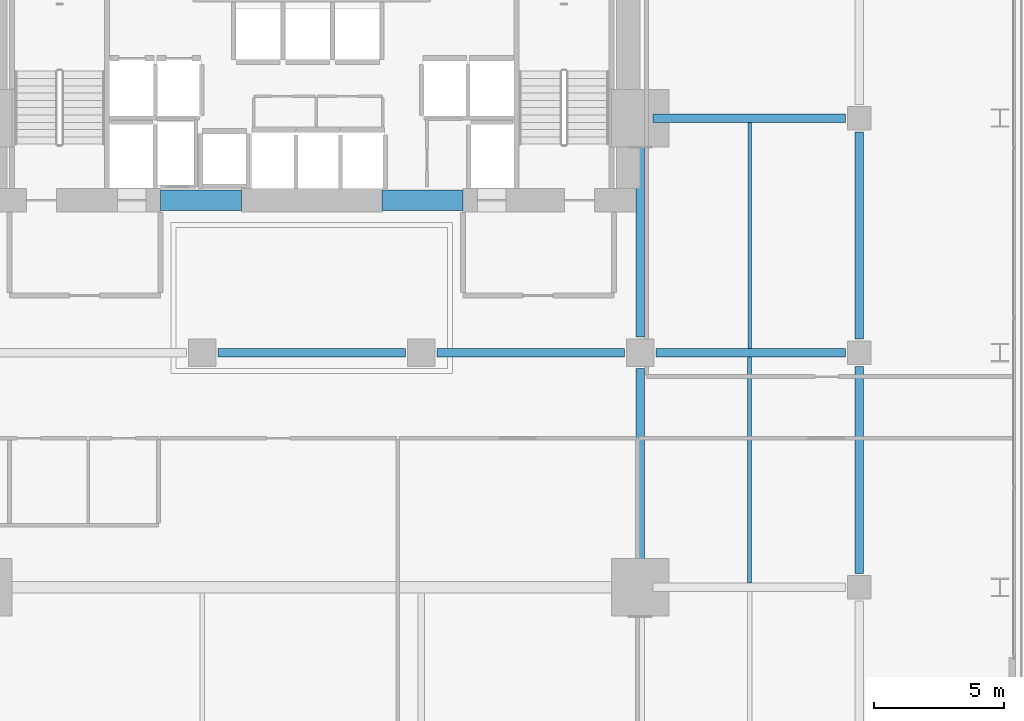
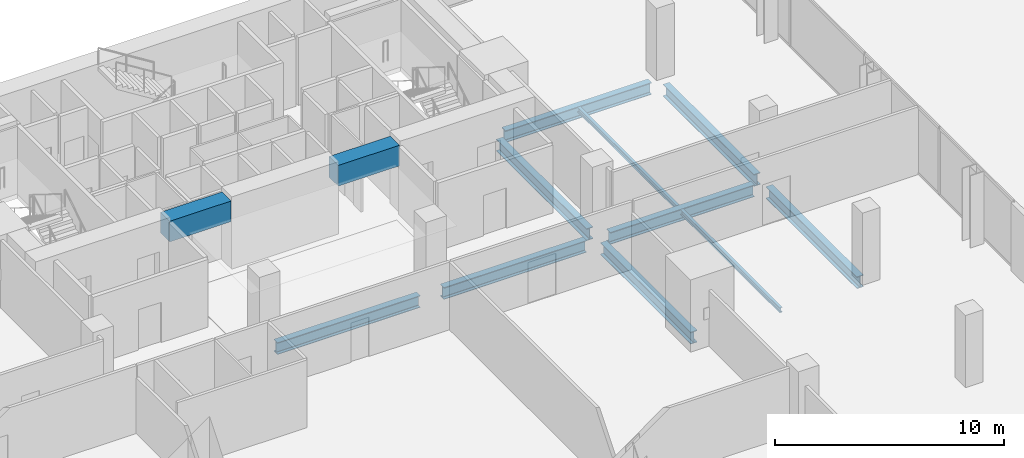
# One storey, part 16 of 31: 12 beams.
"""IFC4 building model written with IfcOpenShell, lengths in metres."""

from ifc_helpers import new_model, si_unit, direction, frame, origin, origin_2d, place, context, subcontext, project, spatial, rectangle, i_section, extrude, material, material_profile, profile_set, type_object, element, save


model = new_model("IFC4")

# Units and contexts
model_context = context("Model", 3, precision=1e-05, world=origin(), true_north=direction((0.0, 1.0)))
body_context = subcontext(model_context, "Body", "Model", "MODEL_VIEW")
ifc_project = project(units=[si_unit("LENGTHUNIT", "METRE"), si_unit("AREAUNIT", "SQUARE_METRE"), si_unit("VOLUMEUNIT", "CUBIC_METRE"), si_unit("PLANEANGLEUNIT", "RADIAN"), si_unit("MASSUNIT", "GRAM", prefix="KILO")], contexts=[model_context])

# Site, building, storey
site_placement = place(None, origin())
site = spatial("IfcSite", under=ifc_project, at=site_placement, CompositionType="ELEMENT")
building_placement = place(site_placement, origin())
building = spatial("IfcBuilding", under=site, at=building_placement, Name="Maruvema Waterfront Hotel and Observation Tower", CompositionType="ELEMENT")
storey_placement = place(building_placement, frame((0.0, 0.0, 26.949951171875)))
storey = spatial("IfcBuildingStorey", under=building, at=storey_placement, Name="L05", CompositionType="ELEMENT", Elevation=26.949951171875)

# Beams
ifc_material_1 = material(Name="Concrete C60/75", Category="concrete")
ifc_material_profile_1 = material_profile(ifc_material_1, rectangle(XDim=0.800048828125, YDim=1.10009765625, at=origin_2d()), Name="CB800x1100")
ifc_profile_set_1 = profile_set([ifc_material_profile_1], Name="Concrete C60/75")
beam_type_1 = type_object("IfcBeamType", Name="Core Coupling Lintel Beam CB800x1100", PredefinedType="LINTEL", material=ifc_profile_set_1)
for number, where, z_axis, x_axis, name in (
    (1, (32.0, 41.85009765625, 3.06005859375), (1.0, 0.0, 0.0), (0.0, 1.0, 0.0), "L05 Core Coupling Lintel Beam West"),
    (2, (40.5, 41.85009765625, 3.06005859375), (1.0, 0.0, 0.0), (0.0, 1.0, 0.0), "L05 Core Coupling Lintel Beam East"),
):
    element("IfcBeam", number, at=place(storey_placement, frame(where, z_axis=z_axis, x_axis=x_axis)), inside=storey, type_object=beam_type_1, Name=name, PredefinedType="LINTEL", context=body_context, shape_type="SweptSolid", body=[
        extrude(rectangle(XDim=0.800048828125, YDim=1.10009765625, at=origin_2d()), origin(), (0.0, 0.0, 1.0), 3.10009765625),
    ])
ifc_material_2 = material(Name="Steel ASTM A572 Grade 50", Category="steel")
ifc_material_profile_2 = material_profile(ifc_material_2, i_section(OverallWidth=0.3291015625, OverallDepth=0.635009765625, WebThickness=0.017822265625, FlangeThickness=0.031005859375, FilletRadius=0.01806640625, at=origin_2d()), Name="W610x241.0")
ifc_profile_set_2 = profile_set([ifc_material_profile_2], Name="Steel ASTM A572 Grade 50")
beam_type_2 = type_object("IfcBeamType", Name="Primary Floor Girder W610x241.0", PredefinedType="BEAM", material=ifc_profile_set_2)
for number, where, z_axis, x_axis, name in (
    (3, (34.199951171875, 36.0, -0.557373046875), (1.0, 0.0, 0.0), (0.0, 1.0, 0.0), "L05 Floor Girder EW-17"),
    (4, (42.60009765625, 36.0, -0.557373046875), (1.0, 0.0, 0.0), (0.0, 1.0, 0.0), "L05 Floor Girder EW-18"),
):
    element("IfcBeam", number, at=place(storey_placement, frame(where, z_axis=z_axis, x_axis=x_axis)), inside=storey, type_object=beam_type_2, Name=name, PredefinedType="BEAM", context=body_context, shape_type="SweptSolid", body=[
        extrude(i_section(OverallWidth=0.3291015625, OverallDepth=0.635009765625, WebThickness=0.017822265625, FlangeThickness=0.031005859375, FilletRadius=0.01806640625, at=origin_2d()), origin(), (0.0, 0.0, 1.0), 7.199951171875),
    ])
beam_1_placement = place(storey_placement, frame((51.0, 36.0, -0.557373046875), z_axis=(1.0, 0.0, 0.0), x_axis=(0.0, 1.0, 0.0)))
element("IfcBeam", 5, at=beam_1_placement, inside=storey, type_object=beam_type_2, Name="L05 Floor Girder EW-19", PredefinedType="BEAM", context=body_context, shape_type="SweptSolid", body=[
    extrude(i_section(OverallWidth=0.3291015625, OverallDepth=0.635009765625, WebThickness=0.017822265625, FlangeThickness=0.031005859375, FilletRadius=0.01806640625, at=origin_2d()), origin(), (0.0, 0.0, 1.0), 7.27490234375),
])
beam_2_placement = place(storey_placement, frame((50.89990234375, 45.0, -0.557373046875), z_axis=(1.0, 0.0, 0.0), x_axis=(0.0, 1.0, 0.0)))
element("IfcBeam", 6, at=beam_2_placement, inside=storey, type_object=beam_type_2, Name="L05 Floor Girder EW-21", PredefinedType="BEAM", context=body_context, shape_type="SweptSolid", body=[
    extrude(i_section(OverallWidth=0.3291015625, OverallDepth=0.635009765625, WebThickness=0.017822265625, FlangeThickness=0.031005859375, FilletRadius=0.01806640625, at=origin_2d()), origin(), (0.0, 0.0, 1.0), 7.375),
])
for number, where, z_axis, x_axis, name in (
    (7, (50.39990234375, 27.5, -0.557373046875), (0.0, 1.0, 0.0), (-1.0, 0.0, 0.0), "L05 Floor Girder NS-15"),
    (8, (50.39990234375, 36.60009765625, -0.557373046875), (0.0, 1.0, 0.0), (-1.0, 0.0, 0.0), "L05 Floor Girder NS-16"),
):
    element("IfcBeam", number, at=place(storey_placement, frame(where, z_axis=z_axis, x_axis=x_axis)), inside=storey, type_object=beam_type_2, Name=name, PredefinedType="BEAM", context=body_context, shape_type="SweptSolid", body=[
        extrude(i_section(OverallWidth=0.3291015625, OverallDepth=0.635009765625, WebThickness=0.017822265625, FlangeThickness=0.031005859375, FilletRadius=0.01806640625, at=origin_2d()), origin(), (0.0, 0.0, 1.0), 7.89990234375),
    ])
for number, where, z_axis, x_axis, name in (
    (9, (58.800048828125, 27.52490234375, -0.557373046875), (0.0, 1.0, 0.0), (-1.0, 0.0, 0.0), "L05 Floor Girder NS-20"),
    (10, (58.800048828125, 36.52490234375, -0.557373046875), (0.0, 1.0, 0.0), (-1.0, 0.0, 0.0), "L05 Floor Girder NS-21"),
):
    element("IfcBeam", number, at=place(storey_placement, frame(where, z_axis=z_axis, x_axis=x_axis)), inside=storey, type_object=beam_type_2, Name=name, PredefinedType="BEAM", context=body_context, shape_type="SweptSolid", body=[
        extrude(i_section(OverallWidth=0.3291015625, OverallDepth=0.635009765625, WebThickness=0.017822265625, FlangeThickness=0.031005859375, FilletRadius=0.01806640625, at=origin_2d()), origin(), (0.0, 0.0, 1.0), 7.9501953125),
    ])
ifc_material_3 = material(Name="Steel ASTM A572 Grade 50", Category="steel")
ifc_material_profile_3 = material_profile(ifc_material_3, i_section(OverallWidth=0.14599609375, OverallDepth=0.258056640625, WebThickness=0.006103515625, FlangeThickness=0.009033203125, FilletRadius=0.012939453125, at=origin_2d()), Name="W250x32.7")
ifc_profile_set_3 = profile_set([ifc_material_profile_3], Name="Steel ASTM A572 Grade 50")
beam_type_3 = type_object("IfcBeamType", Name="Secondary Floor Joist W250x32.7", PredefinedType="JOIST", material=ifc_profile_set_3)
beam_3_placement = place(storey_placement, frame((54.60009765625, 36.16455078125, -0.368896484375), z_axis=(0.0, 1.0, 0.0), x_axis=(-1.0, 0.0, 0.0)))
element("IfcBeam", 11, at=beam_3_placement, inside=storey, type_object=beam_type_3, Name="L05 Secondary Floor Joist JS-12", PredefinedType="JOIST", context=body_context, shape_type="SweptSolid", body=[
    extrude(i_section(OverallWidth=0.14599609375, OverallDepth=0.258056640625, WebThickness=0.006103515625, FlangeThickness=0.009033203125, FilletRadius=0.012939453125, at=origin_2d()), origin(), (0.0, 0.0, 1.0), 8.6708984375),
])
ifc_material_4 = material(Name="Steel ASTM A572 Grade 50", Category="steel")
ifc_material_profile_4 = material_profile(ifc_material_4, i_section(OverallWidth=0.14794921875, OverallDepth=0.26611328125, WebThickness=0.007568359375, FlangeThickness=0.012939453125, FilletRadius=0.012939453125, at=origin_2d()), Name="W250x44.8")
ifc_profile_set_4 = profile_set([ifc_material_profile_4], Name="Steel ASTM A572 Grade 50")
beam_type_4 = type_object("IfcBeamType", Name="Secondary Floor Joist W250x44.8", PredefinedType="JOIST", material=ifc_profile_set_4)
beam_4_placement = place(storey_placement, frame((54.60009765625, 27.16455078125, -0.373046875), z_axis=(0.0, 1.0, 0.0), x_axis=(-1.0, 0.0, 0.0)))
element("IfcBeam", 12, at=beam_4_placement, inside=storey, type_object=beam_type_4, Name="L05 Secondary Floor Joist JS-11", PredefinedType="JOIST", context=body_context, shape_type="SweptSolid", body=[
    extrude(i_section(OverallWidth=0.14794921875, OverallDepth=0.26611328125, WebThickness=0.007568359375, FlangeThickness=0.012939453125, FilletRadius=0.012939453125, at=origin_2d()), origin(), (0.0, 0.0, 1.0), 8.6708984375),
])

save(model, "model.ifc")
